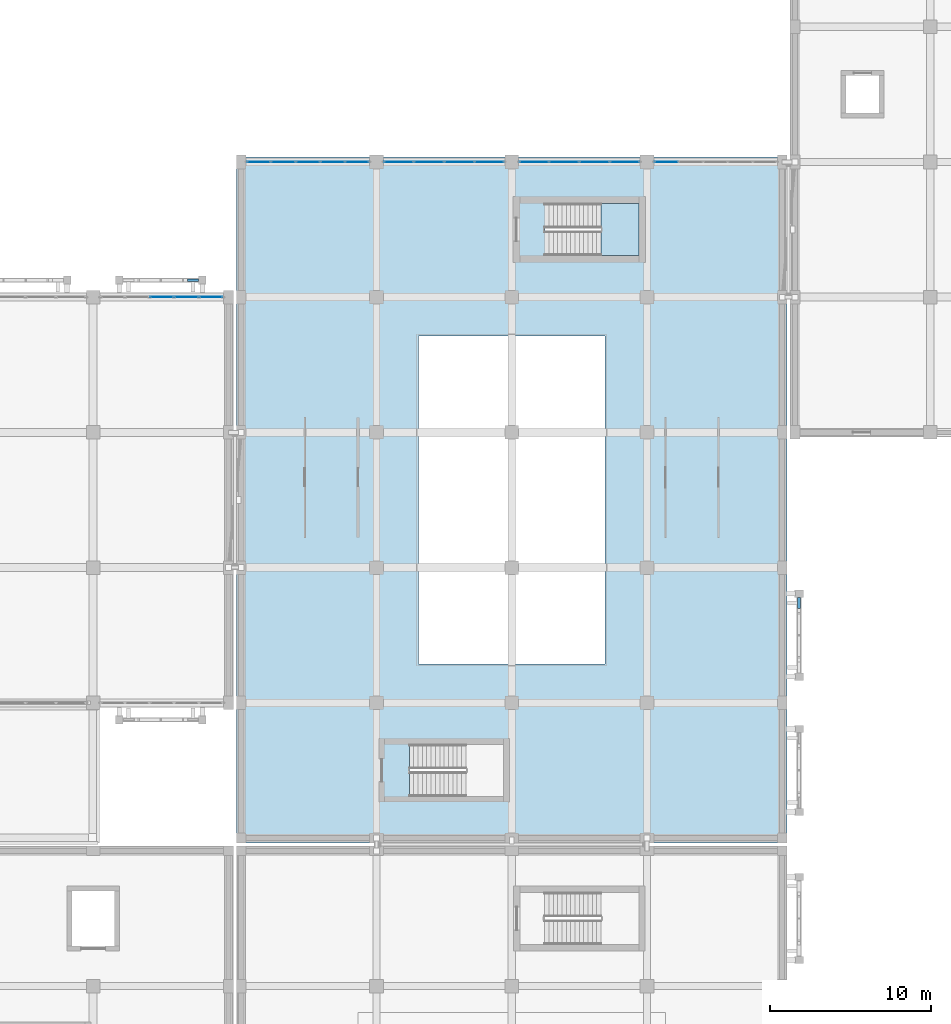
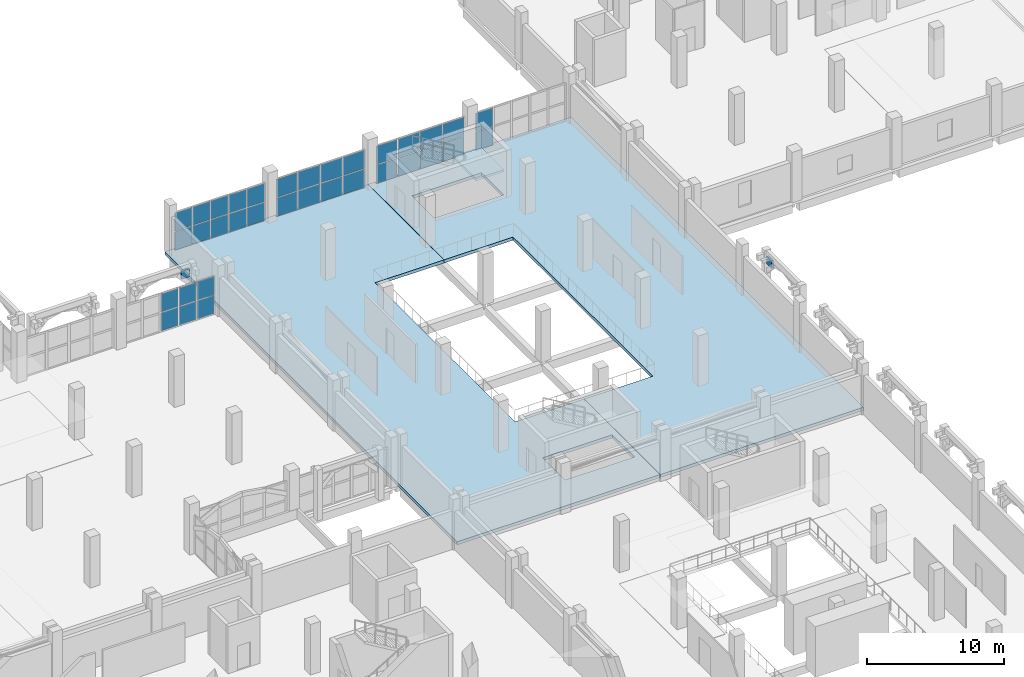
# One storey, part 105 of 137: 36 plates, 3 slabs, 6 elements without a shape of their own.
"""IFC4 building model written with IfcOpenShell, lengths in metres."""

from ifc_helpers import new_model, si_unit, direction, frame, origin, origin_2d, place, context, subcontext, project, spatial, polyline, rectangle, outline, extrude, material, layer, layer_set, type_object, element, aggregate, save


model = new_model("IFC4")

# Units and contexts
model_context = context("Model", 3, precision=1e-05, world=origin(), true_north=direction((0.0, 1.0)))
body_context = subcontext(model_context, "Body", "Model", "MODEL_VIEW")
ifc_project = project(units=[si_unit("LENGTHUNIT", "METRE"), si_unit("AREAUNIT", "SQUARE_METRE"), si_unit("VOLUMEUNIT", "CUBIC_METRE"), si_unit("PLANEANGLEUNIT", "RADIAN"), si_unit("MASSUNIT", "GRAM", prefix="KILO")], contexts=[model_context])

# Site, building, storey
site_placement = place(None, origin())
site = spatial("IfcSite", under=ifc_project, at=site_placement, CompositionType="ELEMENT")
building_placement = place(site_placement, origin())
building = spatial("IfcBuilding", under=site, at=building_placement, Name="Xazarin Passage Department Store", CompositionType="ELEMENT")
storey_placement = place(building_placement, frame((0.0, 0.0, 5.39990234375)))
storey = spatial("IfcBuildingStorey", under=building, at=storey_placement, Name="L01", CompositionType="ELEMENT", Elevation=5.39990234375)

# Curtain wall, plates
ifc_material_1 = material(Name="Bronze anodised aluminium", Category="aluminium")
ifc_layer_1 = layer(ifc_material_1, 0.169921875)
ifc_layer_set_1 = layer_set([ifc_layer_1], Name="Bronze anodised aluminium")
curtain_wall_type_1 = type_object("IfcCurtainWallType", Name="ARC-CW-ARC2", PredefinedType="NOTDEFINED", material=ifc_layer_set_1)
curtain_wall_1_placement = place(storey_placement, origin())
curtain_wall_1 = element("IfcCurtainWall", 1, at=curtain_wall_1_placement, inside=storey, type_object=curtain_wall_type_1, Name="L01 V2N Curtain Wall 110", PredefinedType="NOTDEFINED")
ifc_material_2 = material(Name="Low-E laminated safety glass", Category="glass")
ifc_layer_2 = layer(ifc_material_2, 0.028076171875)
ifc_layer_set_2 = layer_set([ifc_layer_2], Name="Low-E laminated safety glass")
plate_type_1 = type_object("IfcPlateType", Name="ARC-CWP-GLZ28", PredefinedType="CURTAIN_PANEL", material=ifc_layer_set_2)
plate_1_placement = place(storey_placement, frame((69.083740234375, 93.199951171875, 0.065185546875), z_axis=(0.0, 0.0, 1.0), x_axis=(1.0, 0.0, 0.0)))
plate_1 = element("IfcPlate", 2, at=plate_1_placement, type_object=plate_type_1, Name="CW4 panel 1.1", PredefinedType="CURTAIN_PANEL", context=body_context, shape_type="SweptSolid", body=[
    extrude(rectangle(XDim=1.4375, YDim=0.028076171875, at=origin_2d()), origin(), (0.0, 0.0, 1.0), 1.62744140625),
])
plate_2_placement = place(storey_placement, frame((69.083740234375, 93.199951171875, 1.757568359375), z_axis=(0.0, 0.0, 1.0), x_axis=(1.0, 0.0, 0.0)))
plate_2 = element("IfcPlate", 3, at=plate_2_placement, type_object=plate_type_1, Name="CW4 panel 1.2", PredefinedType="CURTAIN_PANEL", context=body_context, shape_type="SweptSolid", body=[
    extrude(rectangle(XDim=1.4375, YDim=0.028076171875, at=origin_2d()), origin(), (0.0, 0.0, 1.0), 1.62744140625),
])
plate_3_placement = place(storey_placement, frame((70.6025390625, 93.199951171875, 0.065185546875), z_axis=(0.0, 0.0, 1.0), x_axis=(1.0, 0.0, 0.0)))
plate_3 = element("IfcPlate", 4, at=plate_3_placement, type_object=plate_type_1, Name="CW4 panel 2.1", PredefinedType="CURTAIN_PANEL", context=body_context, shape_type="SweptSolid", body=[
    extrude(rectangle(XDim=1.469970703125, YDim=0.028076171875, at=origin_2d()), origin(), (0.0, 0.0, 1.0), 1.62744140625),
])
plate_4_placement = place(storey_placement, frame((70.6025390625, 93.199951171875, 1.757568359375), z_axis=(0.0, 0.0, 1.0), x_axis=(1.0, 0.0, 0.0)))
plate_4 = element("IfcPlate", 5, at=plate_4_placement, type_object=plate_type_1, Name="CW4 panel 2.2", PredefinedType="CURTAIN_PANEL", context=body_context, shape_type="SweptSolid", body=[
    extrude(rectangle(XDim=1.469970703125, YDim=0.028076171875, at=origin_2d()), origin(), (0.0, 0.0, 1.0), 1.62744140625),
])
plate_5_placement = place(storey_placement, frame((72.137451171875, 93.199951171875, 0.065185546875), z_axis=(0.0, 0.0, 1.0), x_axis=(1.0, 0.0, 0.0)))
plate_5 = element("IfcPlate", 6, at=plate_5_placement, type_object=plate_type_1, Name="CW4 panel 3.1", PredefinedType="CURTAIN_PANEL", context=body_context, shape_type="SweptSolid", body=[
    extrude(rectangle(XDim=1.469970703125, YDim=0.028076171875, at=origin_2d()), origin(), (0.0, 0.0, 1.0), 1.62744140625),
])
plate_6_placement = place(storey_placement, frame((72.137451171875, 93.199951171875, 1.757568359375), z_axis=(0.0, 0.0, 1.0), x_axis=(1.0, 0.0, 0.0)))
plate_6 = element("IfcPlate", 7, at=plate_6_placement, type_object=plate_type_1, Name="CW4 panel 3.2", PredefinedType="CURTAIN_PANEL", context=body_context, shape_type="SweptSolid", body=[
    extrude(rectangle(XDim=1.469970703125, YDim=0.028076171875, at=origin_2d()), origin(), (0.0, 0.0, 1.0), 1.62744140625),
])
plate_7_placement = place(storey_placement, frame((73.672607421875, 93.199951171875, 0.065185546875), z_axis=(0.0, 0.0, 1.0), x_axis=(1.0, 0.0, 0.0)))
plate_7 = element("IfcPlate", 8, at=plate_7_placement, type_object=plate_type_1, Name="CW4 panel 4.1", PredefinedType="CURTAIN_PANEL", context=body_context, shape_type="SweptSolid", body=[
    extrude(rectangle(XDim=1.469970703125, YDim=0.028076171875, at=origin_2d()), origin(), (0.0, 0.0, 1.0), 1.62744140625),
])
plate_8_placement = place(storey_placement, frame((73.672607421875, 93.199951171875, 1.757568359375), z_axis=(0.0, 0.0, 1.0), x_axis=(1.0, 0.0, 0.0)))
plate_8 = element("IfcPlate", 9, at=plate_8_placement, type_object=plate_type_1, Name="CW4 panel 4.2", PredefinedType="CURTAIN_PANEL", context=body_context, shape_type="SweptSolid", body=[
    extrude(rectangle(XDim=1.469970703125, YDim=0.028076171875, at=origin_2d()), origin(), (0.0, 0.0, 1.0), 1.62744140625),
])
plate_9_placement = place(storey_placement, frame((75.191162109375, 93.199951171875, 0.065185546875), z_axis=(0.0, 0.0, 1.0), x_axis=(1.0, 0.0, 0.0)))
plate_9 = element("IfcPlate", 10, at=plate_9_placement, type_object=plate_type_1, Name="CW4 panel 5.1", PredefinedType="CURTAIN_PANEL", context=body_context, shape_type="SweptSolid", body=[
    extrude(rectangle(XDim=1.4375, YDim=0.028076171875, at=origin_2d()), origin(), (0.0, 0.0, 1.0), 1.62744140625),
])
plate_10_placement = place(storey_placement, frame((75.191162109375, 93.199951171875, 1.757568359375), z_axis=(0.0, 0.0, 1.0), x_axis=(1.0, 0.0, 0.0)))
plate_10 = element("IfcPlate", 11, at=plate_10_placement, type_object=plate_type_1, Name="CW4 panel 5.2", PredefinedType="CURTAIN_PANEL", context=body_context, shape_type="SweptSolid", body=[
    extrude(rectangle(XDim=1.4375, YDim=0.028076171875, at=origin_2d()), origin(), (0.0, 0.0, 1.0), 1.62744140625),
])
aggregate(curtain_wall_1, [plate_1, plate_2, plate_3, plate_4, plate_5, plate_6, plate_7, plate_8, plate_9, plate_10])

curtain_wall_2_placement = place(storey_placement, origin())
curtain_wall_2 = element("IfcCurtainWall", 12, at=curtain_wall_2_placement, inside=storey, type_object=curtain_wall_type_1, Name="L01 V2N Curtain Wall 111", PredefinedType="NOTDEFINED")
plate_11_placement = place(storey_placement, frame((77.784912109375, 93.199951171875, 0.065185546875), z_axis=(0.0, 0.0, 1.0), x_axis=(1.0, 0.0, 0.0)))
plate_11 = element("IfcPlate", 13, at=plate_11_placement, type_object=plate_type_1, Name="CW4 panel 1.1", PredefinedType="CURTAIN_PANEL", context=body_context, shape_type="SweptSolid", body=[
    extrude(rectangle(XDim=1.7900390625, YDim=0.028076171875, at=origin_2d()), origin(), (0.0, 0.0, 1.0), 1.62744140625),
])
plate_12_placement = place(storey_placement, frame((77.784912109375, 93.199951171875, 1.757568359375), z_axis=(0.0, 0.0, 1.0), x_axis=(1.0, 0.0, 0.0)))
plate_12 = element("IfcPlate", 14, at=plate_12_placement, type_object=plate_type_1, Name="CW4 panel 1.2", PredefinedType="CURTAIN_PANEL", context=body_context, shape_type="SweptSolid", body=[
    extrude(rectangle(XDim=1.7900390625, YDim=0.028076171875, at=origin_2d()), origin(), (0.0, 0.0, 1.0), 1.62744140625),
])
plate_13_placement = place(storey_placement, frame((79.65625, 93.199951171875, 0.065185546875), z_axis=(0.0, 0.0, 1.0), x_axis=(1.0, 0.0, 0.0)))
plate_13 = element("IfcPlate", 15, at=plate_13_placement, type_object=plate_type_1, Name="CW4 panel 2.1", PredefinedType="CURTAIN_PANEL", context=body_context, shape_type="SweptSolid", body=[
    extrude(rectangle(XDim=1.822509765625, YDim=0.028076171875, at=origin_2d()), origin(), (0.0, 0.0, 1.0), 1.62744140625),
])
plate_14_placement = place(storey_placement, frame((79.65625, 93.199951171875, 1.757568359375), z_axis=(0.0, 0.0, 1.0), x_axis=(1.0, 0.0, 0.0)))
plate_14 = element("IfcPlate", 16, at=plate_14_placement, type_object=plate_type_1, Name="CW4 panel 2.2", PredefinedType="CURTAIN_PANEL", context=body_context, shape_type="SweptSolid", body=[
    extrude(rectangle(XDim=1.822509765625, YDim=0.028076171875, at=origin_2d()), origin(), (0.0, 0.0, 1.0), 1.62744140625),
])
plate_15_placement = place(storey_placement, frame((81.543701171875, 93.199951171875, 0.065185546875), z_axis=(0.0, 0.0, 1.0), x_axis=(1.0, 0.0, 0.0)))
plate_15 = element("IfcPlate", 17, at=plate_15_placement, type_object=plate_type_1, Name="CW4 panel 3.1", PredefinedType="CURTAIN_PANEL", context=body_context, shape_type="SweptSolid", body=[
    extrude(rectangle(XDim=1.822509765625, YDim=0.028076171875, at=origin_2d()), origin(), (0.0, 0.0, 1.0), 1.62744140625),
])
plate_16_placement = place(storey_placement, frame((81.543701171875, 93.199951171875, 1.757568359375), z_axis=(0.0, 0.0, 1.0), x_axis=(1.0, 0.0, 0.0)))
plate_16 = element("IfcPlate", 18, at=plate_16_placement, type_object=plate_type_1, Name="CW4 panel 3.2", PredefinedType="CURTAIN_PANEL", context=body_context, shape_type="SweptSolid", body=[
    extrude(rectangle(XDim=1.822509765625, YDim=0.028076171875, at=origin_2d()), origin(), (0.0, 0.0, 1.0), 1.62744140625),
])
plate_17_placement = place(storey_placement, frame((83.4150390625, 93.199951171875, 0.065185546875), z_axis=(0.0, 0.0, 1.0), x_axis=(1.0, 0.0, 0.0)))
plate_17 = element("IfcPlate", 19, at=plate_17_placement, type_object=plate_type_1, Name="CW4 panel 4.1", PredefinedType="CURTAIN_PANEL", context=body_context, shape_type="SweptSolid", body=[
    extrude(rectangle(XDim=1.7900390625, YDim=0.028076171875, at=origin_2d()), origin(), (0.0, 0.0, 1.0), 1.62744140625),
])
plate_18_placement = place(storey_placement, frame((83.4150390625, 93.199951171875, 1.757568359375), z_axis=(0.0, 0.0, 1.0), x_axis=(1.0, 0.0, 0.0)))
plate_18 = element("IfcPlate", 20, at=plate_18_placement, type_object=plate_type_1, Name="CW4 panel 4.2", PredefinedType="CURTAIN_PANEL", context=body_context, shape_type="SweptSolid", body=[
    extrude(rectangle(XDim=1.7900390625, YDim=0.028076171875, at=origin_2d()), origin(), (0.0, 0.0, 1.0), 1.62744140625),
])
aggregate(curtain_wall_2, [plate_11, plate_12, plate_13, plate_14, plate_15, plate_16, plate_17, plate_18])

curtain_wall_3_placement = place(storey_placement, origin())
curtain_wall_3 = element("IfcCurtainWall", 21, at=curtain_wall_3_placement, inside=storey, type_object=curtain_wall_type_1, Name="L01 V2N Curtain Wall 112", PredefinedType="NOTDEFINED")
plate_19_placement = place(storey_placement, frame((86.18505859375, 93.199951171875, 0.065185546875), z_axis=(0.0, 0.0, 1.0), x_axis=(1.0, 0.0, 0.0)))
plate_19 = element("IfcPlate", 22, at=plate_19_placement, type_object=plate_type_1, Name="CW4 panel 1.1", PredefinedType="CURTAIN_PANEL", context=body_context, shape_type="SweptSolid", body=[
    extrude(rectangle(XDim=1.7900390625, YDim=0.028076171875, at=origin_2d()), origin(), (0.0, 0.0, 1.0), 1.62744140625),
])
plate_20_placement = place(storey_placement, frame((86.18505859375, 93.199951171875, 1.757568359375), z_axis=(0.0, 0.0, 1.0), x_axis=(1.0, 0.0, 0.0)))
plate_20 = element("IfcPlate", 23, at=plate_20_placement, type_object=plate_type_1, Name="CW4 panel 1.2", PredefinedType="CURTAIN_PANEL", context=body_context, shape_type="SweptSolid", body=[
    extrude(rectangle(XDim=1.7900390625, YDim=0.028076171875, at=origin_2d()), origin(), (0.0, 0.0, 1.0), 1.62744140625),
])
plate_21_placement = place(storey_placement, frame((88.05615234375, 93.199951171875, 0.065185546875), z_axis=(0.0, 0.0, 1.0), x_axis=(1.0, 0.0, 0.0)))
plate_21 = element("IfcPlate", 24, at=plate_21_placement, type_object=plate_type_1, Name="CW4 panel 2.1", PredefinedType="CURTAIN_PANEL", context=body_context, shape_type="SweptSolid", body=[
    extrude(rectangle(XDim=1.822509765625, YDim=0.028076171875, at=origin_2d()), origin(), (0.0, 0.0, 1.0), 1.62744140625),
])
plate_22_placement = place(storey_placement, frame((88.05615234375, 93.199951171875, 1.757568359375), z_axis=(0.0, 0.0, 1.0), x_axis=(1.0, 0.0, 0.0)))
plate_22 = element("IfcPlate", 25, at=plate_22_placement, type_object=plate_type_1, Name="CW4 panel 2.2", PredefinedType="CURTAIN_PANEL", context=body_context, shape_type="SweptSolid", body=[
    extrude(rectangle(XDim=1.822509765625, YDim=0.028076171875, at=origin_2d()), origin(), (0.0, 0.0, 1.0), 1.62744140625),
])
plate_23_placement = place(storey_placement, frame((89.94384765625, 93.199951171875, 0.065185546875), z_axis=(0.0, 0.0, 1.0), x_axis=(1.0, 0.0, 0.0)))
plate_23 = element("IfcPlate", 26, at=plate_23_placement, type_object=plate_type_1, Name="CW4 panel 3.1", PredefinedType="CURTAIN_PANEL", context=body_context, shape_type="SweptSolid", body=[
    extrude(rectangle(XDim=1.822509765625, YDim=0.028076171875, at=origin_2d()), origin(), (0.0, 0.0, 1.0), 1.62744140625),
])
plate_24_placement = place(storey_placement, frame((89.94384765625, 93.199951171875, 1.757568359375), z_axis=(0.0, 0.0, 1.0), x_axis=(1.0, 0.0, 0.0)))
plate_24 = element("IfcPlate", 27, at=plate_24_placement, type_object=plate_type_1, Name="CW4 panel 3.2", PredefinedType="CURTAIN_PANEL", context=body_context, shape_type="SweptSolid", body=[
    extrude(rectangle(XDim=1.822509765625, YDim=0.028076171875, at=origin_2d()), origin(), (0.0, 0.0, 1.0), 1.62744140625),
])
plate_25_placement = place(storey_placement, frame((91.81494140625, 93.199951171875, 0.065185546875), z_axis=(0.0, 0.0, 1.0), x_axis=(1.0, 0.0, 0.0)))
plate_25 = element("IfcPlate", 28, at=plate_25_placement, type_object=plate_type_1, Name="CW4 panel 4.1", PredefinedType="CURTAIN_PANEL", context=body_context, shape_type="SweptSolid", body=[
    extrude(rectangle(XDim=1.7900390625, YDim=0.028076171875, at=origin_2d()), origin(), (0.0, 0.0, 1.0), 1.62744140625),
])
plate_26_placement = place(storey_placement, frame((91.81494140625, 93.199951171875, 1.757568359375), z_axis=(0.0, 0.0, 1.0), x_axis=(1.0, 0.0, 0.0)))
plate_26 = element("IfcPlate", 29, at=plate_26_placement, type_object=plate_type_1, Name="CW4 panel 4.2", PredefinedType="CURTAIN_PANEL", context=body_context, shape_type="SweptSolid", body=[
    extrude(rectangle(XDim=1.7900390625, YDim=0.028076171875, at=origin_2d()), origin(), (0.0, 0.0, 1.0), 1.62744140625),
])
aggregate(curtain_wall_3, [plate_19, plate_20, plate_21, plate_22, plate_23, plate_24, plate_25, plate_26])

curtain_wall_4_placement = place(storey_placement, origin())
curtain_wall_4 = element("IfcCurtainWall", 30, at=curtain_wall_4_placement, inside=storey, type_object=curtain_wall_type_1, Name="L01 V2N Curtain Wall 113", PredefinedType="NOTDEFINED")
plate_27_placement = place(storey_placement, frame((94.40869140625, 93.199951171875, 0.065185546875), z_axis=(0.0, 0.0, 1.0), x_axis=(1.0, 0.0, 0.0)))
plate_27 = element("IfcPlate", 31, at=plate_27_placement, type_object=plate_type_1, Name="CW4 panel 1.1", PredefinedType="CURTAIN_PANEL", context=body_context, shape_type="SweptSolid", body=[
    extrude(rectangle(XDim=1.4375, YDim=0.028076171875, at=origin_2d()), origin(), (0.0, 0.0, 1.0), 1.62744140625),
])
plate_28_placement = place(storey_placement, frame((94.40869140625, 93.199951171875, 1.757568359375), z_axis=(0.0, 0.0, 1.0), x_axis=(1.0, 0.0, 0.0)))
plate_28 = element("IfcPlate", 32, at=plate_28_placement, type_object=plate_type_1, Name="CW4 panel 1.2", PredefinedType="CURTAIN_PANEL", context=body_context, shape_type="SweptSolid", body=[
    extrude(rectangle(XDim=1.4375, YDim=0.028076171875, at=origin_2d()), origin(), (0.0, 0.0, 1.0), 1.62744140625),
])
aggregate(curtain_wall_4, [plate_27, plate_28])

ifc_layer_3 = layer(ifc_material_1, 0.179931640625)
ifc_layer_set_3 = layer_set([ifc_layer_3], Name="Bronze anodised aluminium")
curtain_wall_type_2 = type_object("IfcCurtainWallType", Name="ARC-CW-VIT1", PredefinedType="NOTDEFINED", material=ifc_layer_set_3)
curtain_wall_5_placement = place(storey_placement, origin())
curtain_wall_5 = element("IfcCurtainWall", 33, at=curtain_wall_5_placement, inside=storey, type_object=curtain_wall_type_2, Name="L01 V1 Curtain Wall 011", PredefinedType="NOTDEFINED")
ifc_layer_4 = layer(ifc_material_2, 0.031982421875)
ifc_layer_set_4 = layer_set([ifc_layer_4], Name="Low-E laminated safety glass")
plate_type_2 = type_object("IfcPlateType", Name="ARC-CWP-GLZ32", PredefinedType="CURTAIN_PANEL", material=ifc_layer_set_4)
plate_29_placement = place(storey_placement, frame((63.0625, 84.800048828125, 0.0751953125), z_axis=(0.0, 0.0, 1.0), x_axis=(1.0, 0.0, 0.0)))
plate_29 = element("IfcPlate", 34, at=plate_29_placement, type_object=plate_type_2, Name="CW1 panel 3.1", PredefinedType="CURTAIN_PANEL", context=body_context, shape_type="SweptSolid", body=[
    extrude(rectangle(XDim=1.4599609375, YDim=0.031982421875, at=origin_2d()), origin(), (0.0, 0.0, 1.0), 1.612548828125),
])
plate_30_placement = place(storey_placement, frame((63.0625, 84.800048828125, 1.7626953125), z_axis=(0.0, 0.0, 1.0), x_axis=(1.0, 0.0, 0.0)))
plate_30 = element("IfcPlate", 35, at=plate_30_placement, type_object=plate_type_2, Name="CW1 panel 3.2", PredefinedType="CURTAIN_PANEL", context=body_context, shape_type="SweptSolid", body=[
    extrude(rectangle(XDim=1.4599609375, YDim=0.031982421875, at=origin_2d()), origin(), (0.0, 0.0, 1.0), 1.612548828125),
])
plate_31_placement = place(storey_placement, frame((64.597412109375, 84.800048828125, 0.0751953125), z_axis=(0.0, 0.0, 1.0), x_axis=(1.0, 0.0, 0.0)))
plate_31 = element("IfcPlate", 36, at=plate_31_placement, type_object=plate_type_2, Name="CW1 panel 4.1", PredefinedType="CURTAIN_PANEL", context=body_context, shape_type="SweptSolid", body=[
    extrude(rectangle(XDim=1.4599609375, YDim=0.031982421875, at=origin_2d()), origin(), (0.0, 0.0, 1.0), 1.612548828125),
])
plate_32_placement = place(storey_placement, frame((64.597412109375, 84.800048828125, 1.7626953125), z_axis=(0.0, 0.0, 1.0), x_axis=(1.0, 0.0, 0.0)))
plate_32 = element("IfcPlate", 37, at=plate_32_placement, type_object=plate_type_2, Name="CW1 panel 4.2", PredefinedType="CURTAIN_PANEL", context=body_context, shape_type="SweptSolid", body=[
    extrude(rectangle(XDim=1.4599609375, YDim=0.031982421875, at=origin_2d()), origin(), (0.0, 0.0, 1.0), 1.612548828125),
])
plate_33_placement = place(storey_placement, frame((66.11376953125, 84.800048828125, 0.0751953125), z_axis=(0.0, 0.0, 1.0), x_axis=(1.0, 0.0, 0.0)))
plate_33 = element("IfcPlate", 38, at=plate_33_placement, type_object=plate_type_2, Name="CW1 panel 5.1", PredefinedType="CURTAIN_PANEL", context=body_context, shape_type="SweptSolid", body=[
    extrude(rectangle(XDim=1.422607421875, YDim=0.031982421875, at=origin_2d()), origin(), (0.0, 0.0, 1.0), 1.612548828125),
])
plate_34_placement = place(storey_placement, frame((66.11376953125, 84.800048828125, 1.7626953125), z_axis=(0.0, 0.0, 1.0), x_axis=(1.0, 0.0, 0.0)))
plate_34 = element("IfcPlate", 39, at=plate_34_placement, type_object=plate_type_2, Name="CW1 panel 5.2", PredefinedType="CURTAIN_PANEL", context=body_context, shape_type="SweptSolid", body=[
    extrude(rectangle(XDim=1.422607421875, YDim=0.031982421875, at=origin_2d()), origin(), (0.0, 0.0, 1.0), 1.612548828125),
])
aggregate(curtain_wall_5, [plate_29, plate_30, plate_31, plate_32, plate_33, plate_34])

# Plates
ifc_material_3 = material(Name="Precast concrete C40/50", Category="concrete")
ifc_layer_5 = layer(ifc_material_3, 0.139892578125)
ifc_layer_set_5 = layer_set([ifc_layer_5], Name="Precast concrete C40/50")
plate_type_3 = type_object("IfcPlateType", Name="ARC-PLT-SCR-07", PredefinedType="USERDEFINED", material=ifc_layer_set_5)
plate_35_placement = place(storey_placement, frame((65.0, 85.85009765625, 3.26025390625), z_axis=(0.0, 0.0, 1.0), x_axis=(1.0, 0.0, 0.0)))
element("IfcPlate", 40, at=plate_35_placement, inside=storey, type_object=plate_type_3, Name="L01 V1 Arch Spandrel Tympanum 0068", ObjectType="SCREEN PANEL", PredefinedType="USERDEFINED", context=body_context, shape_type="SweptSolid", body=[
    extrude(rectangle(XDim=0.679931640625, YDim=0.139892578125, at=origin_2d()), origin(), (0.0, 0.0, 1.0), 0.719970703125),
])
ifc_layer_6 = layer(ifc_material_3, 0.179931640625)
ifc_layer_set_6 = layer_set([ifc_layer_6], Name="Precast concrete C40/50")
plate_type_4 = type_object("IfcPlateType", Name="ARC-PLT-SCR-11", PredefinedType="USERDEFINED", material=ifc_layer_set_6)
plate_36_placement = place(storey_placement, frame((102.64990234375, 65.800048828125, 3.26025390625), z_axis=(0.0, 0.0, 1.0), x_axis=(0.0, 1.0, 0.0)))
element("IfcPlate", 41, at=plate_36_placement, inside=storey, type_object=plate_type_4, Name="L01 V2N Arch Spandrel Tympanum 0212", ObjectType="SCREEN PANEL", PredefinedType="USERDEFINED", context=body_context, shape_type="SweptSolid", body=[
    extrude(rectangle(XDim=0.679931640625, YDim=0.179931640625, at=origin_2d()), origin(), (0.0, 0.0, 1.0), 0.719970703125),
])

# Slabs
ifc_material_4 = material(Name="Concrete C35/45", Category="concrete")
ifc_layer_7 = layer(ifc_material_4, 0.280029296875)
ifc_layer_set_7 = layer_set([ifc_layer_7], Name="Concrete C35/45")
slab_type_1 = type_object("IfcSlabType", Name="STR-SLB-FLR280", PredefinedType="FLOOR", material=ifc_layer_set_7)
slab_1_placement = place(storey_placement, frame((0.0, 0.0, -0.27978515625)))
element("IfcSlab", 42, at=slab_1_placement, inside=storey, type_object=slab_type_1, Name="L01 V2N Suspended Floor Slab Bay 1", PredefinedType="FLOOR", context=body_context, shape_type="SweptSolid", body=[
    extrude(outline(polyline([(67.699951171875, 50.89990234375), (84.7900390625, 50.89990234375), (84.7900390625, 62.0), (79.0, 62.0), (79.0, 82.39990234375), (84.7900390625, 82.39990234375), (84.7900390625, 93.5), (67.699951171875, 93.5), (67.699951171875, 50.89990234375)]), holes=[polyline([(78.451904296875, 53.780029296875), (78.451904296875, 57.02001953125), (84.300048828125, 57.02001953125), (84.300048828125, 53.780029296875), (78.451904296875, 53.780029296875)])]), origin(), (0.0, 0.0, 1.0), 0.27978515625),
])
slab_2_placement = place(storey_placement, frame((0.0, 0.0, -0.27978515625)))
element("IfcSlab", 43, at=slab_2_placement, inside=storey, type_object=slab_type_1, Name="L01 V2N Suspended Floor Slab Bay 2", PredefinedType="FLOOR", context=body_context, shape_type="SweptSolid", body=[
    extrude(outline(polyline([(84.81005859375, 93.5), (84.81005859375, 82.39990234375), (90.60009765625, 82.39990234375), (90.60009765625, 62.0), (84.81005859375, 62.0), (84.81005859375, 50.89990234375), (101.89990234375, 50.89990234375), (101.89990234375, 93.5), (84.81005859375, 93.5)]), holes=[polyline([(86.85205078125, 90.6201171875), (92.699951171875, 90.6201171875), (92.699951171875, 87.3798828125), (86.85205078125, 87.3798828125), (86.85205078125, 90.6201171875)])]), origin(), (0.0, 0.0, 1.0), 0.27978515625),
])

# Stair, slab
stair_type = type_object("IfcStairType", Name="ARC-ST-TYP", PredefinedType="HALF_TURN_STAIR", material=ifc_material_4)
stair_placement = place(storey_placement, origin())
stair = element("IfcStair", 44, at=stair_placement, inside=storey, type_object=stair_type, Name="L01 Exit Stair ST7", PredefinedType="HALF_TURN_STAIR")
ifc_layer_8 = layer(ifc_material_4, 0.199951171875)
ifc_layer_set_8 = layer_set([ifc_layer_8], Name="Concrete C35/45")
slab_type_2 = type_object("IfcSlabType", Name="STR-SLB-LND200", PredefinedType="LANDING", material=ifc_layer_set_8)
slab_3_placement = place(storey_placement, frame((0.0, 0.0, 2.050048828125)))
slab_3 = element("IfcSlab", 45, at=slab_3_placement, type_object=slab_type_2, Name="ST7 landing 1", PredefinedType="LANDING", context=body_context, shape_type="SweptSolid", body=[
    extrude(outline(polyline([(90.35009765625, 87.3798828125), (92.699951171875, 87.3798828125), (92.699951171875, 90.6201171875), (90.35009765625, 90.6201171875), (90.35009765625, 87.3798828125)])), origin(), (0.0, 0.0, 1.0), 0.199951171875),
])
aggregate(stair, [slab_3])

save(model, "model.ifc")
